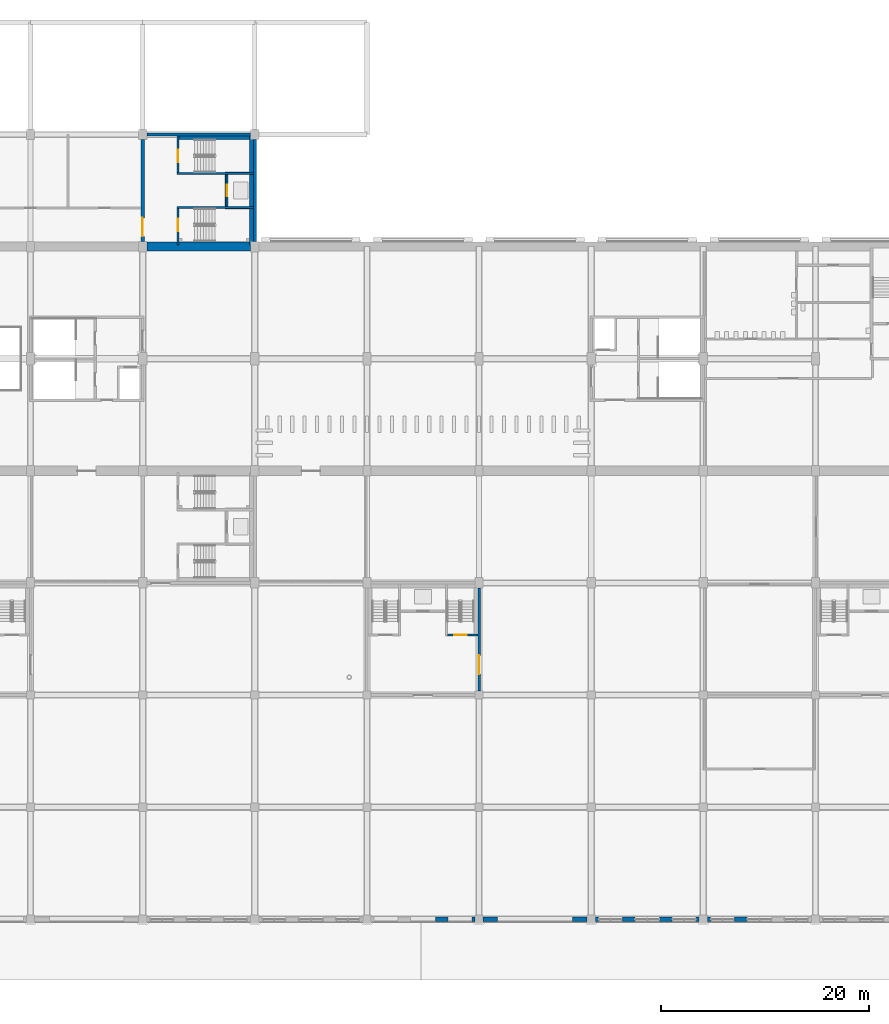
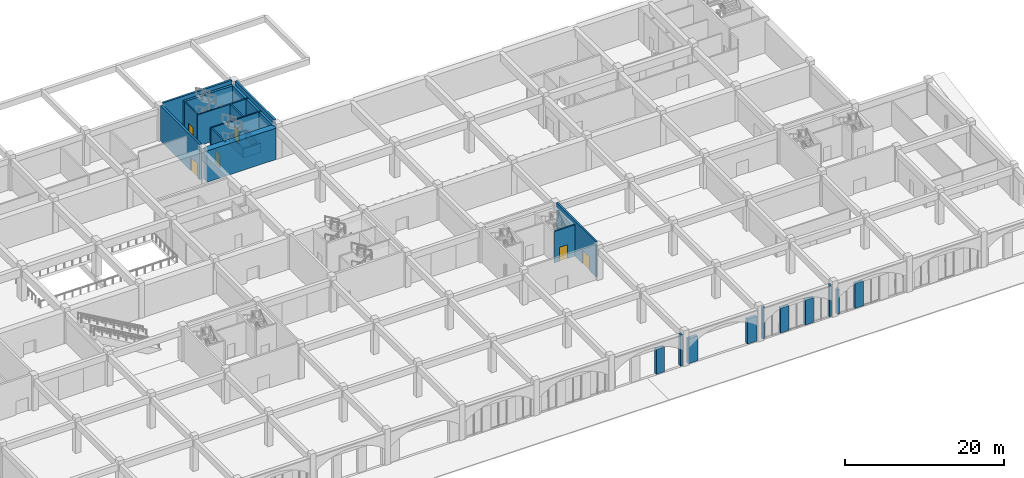
# One storey, part 32 of 101: 26 walls, 6 doors, 6 openings.
"""IFC4 building model written with IfcOpenShell, lengths in metres."""

from ifc_helpers import new_model, si_unit, direction, frame, frame_2d, origin, place, context, subcontext, project, spatial, polyline, rectangle, outline, extrude, material, layer, layer_set, type_object, element, fill, save


model = new_model("IFC4")

# Units and contexts
model_context = context("Model", 3, precision=1e-05, world=origin(), true_north=direction((0.0, 1.0)))
body_context = subcontext(model_context, "Body", "Model", "MODEL_VIEW")
ifc_project = project(units=[si_unit("LENGTHUNIT", "METRE"), si_unit("AREAUNIT", "SQUARE_METRE"), si_unit("VOLUMEUNIT", "CUBIC_METRE"), si_unit("PLANEANGLEUNIT", "RADIAN"), si_unit("MASSUNIT", "GRAM", prefix="KILO")], contexts=[model_context])

# Site, building, storey
site_placement = place(None, origin())
site = spatial("IfcSite", under=ifc_project, at=site_placement, CompositionType="ELEMENT")
building_placement = place(site_placement, origin())
building = spatial("IfcBuilding", under=site, at=building_placement, Name="Magnolia Steps Interchange", CompositionType="ELEMENT")
storey_placement = place(building_placement, frame((0.0, 0.0, -5.39990234375)))
storey = spatial("IfcBuildingStorey", under=building, at=storey_placement, Name="B1", CompositionType="ELEMENT", Elevation=-5.39990234375)

# Walls
ifc_material_1 = material(Name="Concrete C40", Category="concrete")
ifc_layer_1 = layer(ifc_material_1, 0.449951171875)
ifc_layer_set_1 = layer_set([ifc_layer_1], Name="Concrete C40 arcade wall 450")
wall_type_1 = type_object("IfcWallType", Name="Concrete C40 arcade wall 450", PredefinedType="SOLIDWALL", material=ifc_layer_set_1)
wall_1_placement = place(storey_placement, frame((135.39990234375, 10.0, 0.0), z_axis=(0.0, 0.0, 1.0), x_axis=(1.0, 0.0, 0.0)))
element("IfcWall", 1, at=wall_1_placement, inside=storey, type_object=wall_type_1, Name="Street arcade pier 45", PredefinedType="SOLIDWALL", context=body_context, shape_type="SweptSolid", body=[
    extrude(rectangle(XDim=1.2001953125, YDim=0.449951171875, at=frame_2d((0.60009765625, 0.0))), origin(), (0.0, 0.0, 1.0), 3.7998046875),
])
wall_2_placement = place(storey_placement, frame((138.89990234375, 10.0, 0.0), z_axis=(0.0, 0.0, 1.0), x_axis=(1.0, 0.0, 0.0)))
element("IfcWall", 2, at=wall_2_placement, inside=storey, type_object=wall_type_1, Name="Street arcade pier 47", PredefinedType="SOLIDWALL", context=body_context, shape_type="SweptSolid", body=[
    extrude(rectangle(XDim=0.300048828125, YDim=0.449951171875, at=frame_2d((0.14990234375, 0.0))), origin(), (0.0, 0.0, 1.0), 4.7998046875),
])
for number, where, z_axis, x_axis, name in (
    (3, (140.0, 10.0, 0.0), (0.0, 0.0, 1.0), (1.0, 0.0, 0.0), "Street arcade pier 47"),
    (4, (148.60009765625, 10.0, 0.0), (0.0, 0.0, 1.0), (1.0, 0.0, 0.0), "Street arcade pier 49"),
):
    element("IfcWall", number, at=place(storey_placement, frame(where, z_axis=z_axis, x_axis=x_axis)), inside=storey, type_object=wall_type_1, Name=name, PredefinedType="SOLIDWALL", context=body_context, shape_type="SweptSolid", body=[
        extrude(rectangle(XDim=1.39990234375, YDim=0.449951171875, at=frame_2d((0.699951171875, 0.0))), origin(), (0.0, 0.0, 1.0), 3.7998046875),
    ])
wall_3_placement = place(storey_placement, frame((150.800048828125, 10.0, 0.0), z_axis=(0.0, 0.0, 1.0), x_axis=(1.0, 0.0, 0.0)))
element("IfcWall", 5, at=wall_3_placement, inside=storey, type_object=wall_type_1, Name="Street arcade pier 49", PredefinedType="SOLIDWALL", context=body_context, shape_type="SweptSolid", body=[
    extrude(rectangle(XDim=0.300048828125, YDim=0.449951171875, at=frame_2d((0.14990234375, 0.0))), origin(), (0.0, 0.0, 1.0), 4.7998046875),
])
wall_4_placement = place(storey_placement, frame((153.39990234375, 10.0, 0.0), z_axis=(0.0, 0.0, 1.0), x_axis=(1.0, 0.0, 0.0)))
element("IfcWall", 6, at=wall_4_placement, inside=storey, type_object=wall_type_1, Name="Street arcade pier 51", PredefinedType="SOLIDWALL", context=body_context, shape_type="SweptSolid", body=[
    extrude(rectangle(XDim=1.2001953125, YDim=0.449951171875, at=frame_2d((0.60009765625, 0.0))), origin(), (0.0, 0.0, 1.0), 3.7998046875),
])
wall_5_placement = place(storey_placement, frame((157.0, 10.0, 0.0), z_axis=(0.0, 0.0, 1.0), x_axis=(1.0, 0.0, 0.0)))
element("IfcWall", 7, at=wall_5_placement, inside=storey, type_object=wall_type_1, Name="Street arcade pier 53", PredefinedType="SOLIDWALL", context=body_context, shape_type="SweptSolid", body=[
    extrude(rectangle(XDim=1.199951171875, YDim=0.449951171875, at=frame_2d((0.60009765625, 0.0))), origin(), (0.0, 0.0, 1.0), 3.7998046875),
])
wall_6_placement = place(storey_placement, frame((160.5, 10.0, 0.0), z_axis=(0.0, 0.0, 1.0), x_axis=(1.0, 0.0, 0.0)))
element("IfcWall", 8, at=wall_6_placement, inside=storey, type_object=wall_type_1, Name="Street arcade pier 55", PredefinedType="SOLIDWALL", context=body_context, shape_type="SweptSolid", body=[
    extrude(rectangle(XDim=0.300048828125, YDim=0.449951171875, at=frame_2d((0.14990234375, 0.0))), origin(), (0.0, 0.0, 1.0), 4.7998046875),
])
wall_7_placement = place(storey_placement, frame((161.60009765625, 10.0, 0.0), z_axis=(0.0, 0.0, 1.0), x_axis=(1.0, 0.0, 0.0)))
element("IfcWall", 9, at=wall_7_placement, inside=storey, type_object=wall_type_1, Name="Street arcade pier 55", PredefinedType="SOLIDWALL", context=body_context, shape_type="SweptSolid", body=[
    extrude(rectangle(XDim=0.2998046875, YDim=0.449951171875, at=frame_2d((0.14990234375, 0.0))), origin(), (0.0, 0.0, 1.0), 3.7998046875),
])
wall_8_placement = place(storey_placement, frame((164.199951171875, 10.0, 0.0), z_axis=(0.0, 0.0, 1.0), x_axis=(1.0, 0.0, 0.0)))
element("IfcWall", 10, at=wall_8_placement, inside=storey, type_object=wall_type_1, Name="Street arcade pier 57", PredefinedType="SOLIDWALL", context=body_context, shape_type="SweptSolid", body=[
    extrude(rectangle(XDim=1.199951171875, YDim=0.449951171875, at=frame_2d((0.60009765625, 0.0))), origin(), (0.0, 0.0, 1.0), 3.7998046875),
])

# Wall, opening, door
ifc_material_2 = material(Name="Concrete C35", Category="concrete")
ifc_layer_2 = layer(ifc_material_2, 0.199951171875)
ifc_layer_set_2 = layer_set([ifc_layer_2], Name="Core enclosure wall 200")
wall_type_2 = type_object("IfcWallType", Name="Core enclosure wall 200", PredefinedType="SOLIDWALL", material=ifc_layer_set_2)
wall_9_placement = place(storey_placement, frame((110.60009765625, 85.449951171875, 0.0), z_axis=(0.0, 0.0, 1.0), x_axis=(0.0, -1.0, 0.0)))
wall_9 = element("IfcWall", 11, at=wall_9_placement, inside=storey, type_object=wall_type_2, Name="B1 HC2 enclosure wall", PredefinedType="SOLIDWALL", context=body_context, shape_type="SweptSolid", body=[
    extrude(rectangle(XDim=3.5, YDim=0.199951171875, at=frame_2d((1.75, 0.0))), origin(), (0.0, 0.0, 1.0), 4.7998046875),
])
opening_1_placement = place(wall_9_placement, frame((1.324951171875, 0.0, 0.0)))
opening_1 = element("IfcOpeningElement", 12, at=opening_1_placement, cuts=wall_9, Name="Opening D-HC2-B1-1", PredefinedType="OPENING", context=body_context, shape_type="SweptSolid", body=[
    extrude(rectangle(XDim=1.199951171875, YDim=2.10009765625, at=frame_2d((0.60009765625, 1.050048828125))), frame((0.0, 0.10986328125, 0.0), z_axis=(0.0, -1.0, 0.0), x_axis=(1.0, 0.0, 0.0)), (0.0, 0.0, 1.0), 0.219970703125),
])
ifc_material_3 = material(Name="Painted steel", Category="steel")
door_type_1 = type_object("IfcDoorType", Name="Stair fire door 1200x2100", OperationType="NOTDEFINED", PredefinedType="DOOR", material=ifc_material_3)
door_1_placement = place(opening_1_placement, frame((1.199951171875, 0.0, 0.0), z_axis=(0.0, 0.0, 1.0), x_axis=(-1.0, 0.0, 0.0)))
door_1 = element("IfcDoor", 13, at=door_1_placement, inside=storey, type_object=door_type_1, Name="Stair door ST3 B1", OperationType="SINGLE_SWING_LEFT", OverallHeight=2.10009765625, OverallWidth=1.199951171875, PredefinedType="DOOR", context=body_context, shape_type="SweptSolid", body=[
    extrude(rectangle(XDim=1.199951171875, YDim=2.10009765625, at=frame_2d((0.60009765625, 1.050048828125))), frame((0.0, 0.02490234375, 0.0), z_axis=(0.0, -1.0, 0.0), x_axis=(1.0, 0.0, 0.0)), (0.0, 0.0, 1.0), 0.050048828125),
])
fill(opening_1, door_1)

# Wall
wall_10_placement = place(storey_placement, frame((110.5, 81.85009765625, 0.0), z_axis=(0.0, 0.0, 1.0), x_axis=(1.0, 0.0, 0.0)))
element("IfcWall", 14, at=wall_10_placement, inside=storey, type_object=wall_type_2, Name="B1 HC2 enclosure wall", PredefinedType="SOLIDWALL", context=body_context, shape_type="SweptSolid", body=[
    extrude(rectangle(XDim=7.35009765625, YDim=0.199951171875, at=frame_2d((3.675048828125, 0.0))), origin(), (0.0, 0.0, 1.0), 4.7998046875),
])

# Wall, opening, door
wall_11_placement = place(storey_placement, frame((115.300048828125, 81.75, 0.0), z_axis=(0.0, 0.0, 1.0), x_axis=(0.0, -1.0, 0.0)))
wall_11 = element("IfcWall", 15, at=wall_11_placement, inside=storey, type_object=wall_type_2, Name="B1 HC2 enclosure wall", PredefinedType="SOLIDWALL", context=body_context, shape_type="SweptSolid", body=[
    extrude(rectangle(XDim=3.10009765625, YDim=0.199951171875, at=frame_2d((1.550048828125, 0.0))), origin(), (0.0, 0.0, 1.0), 4.7998046875),
])
opening_2_placement = place(wall_11_placement, frame((1.0, 0.0, 0.0)))
opening_2 = element("IfcOpeningElement", 16, at=opening_2_placement, cuts=wall_11, Name="Opening LD", PredefinedType="OPENING", context=body_context, shape_type="SweptSolid", body=[
    extrude(rectangle(XDim=1.10009765625, YDim=2.10009765625, at=frame_2d((0.550048828125, 1.050048828125))), frame((0.0, 0.10986328125, 0.0), z_axis=(0.0, -1.0, 0.0), x_axis=(1.0, 0.0, 0.0)), (0.0, 0.0, 1.0), 0.219970703125),
])
ifc_material_4 = material(Name="Stainless steel grade 304", Category="steel")
door_type_2 = type_object("IfcDoorType", Name="Lift landing door 1100x2100", OperationType="DOUBLE_DOOR_SLIDING", PredefinedType="DOOR", material=ifc_material_4)
door_2_placement = place(opening_2_placement, frame((1.10009765625, 0.0, 0.0), z_axis=(0.0, 0.0, 1.0), x_axis=(-1.0, 0.0, 0.0)))
door_2 = element("IfcDoor", 17, at=door_2_placement, inside=storey, type_object=door_type_2, Name="Lift landing door LF2 B1", OperationType="DOUBLE_DOOR_SLIDING", OverallHeight=2.10009765625, OverallWidth=1.10009765625, PredefinedType="DOOR", context=body_context, shape_type="SweptSolid", body=[
    extrude(rectangle(XDim=1.10009765625, YDim=2.10009765625, at=frame_2d((0.550048828125, 1.050048828125))), frame((0.0, 0.02490234375, 0.0), z_axis=(0.0, -1.0, 0.0), x_axis=(1.0, 0.0, 0.0)), (0.0, 0.0, 1.0), 0.050048828125),
])
fill(opening_2, door_2)

# Wall
wall_12_placement = place(storey_placement, frame((110.5, 78.550048828125, 0.0), z_axis=(0.0, 0.0, 1.0), x_axis=(1.0, 0.0, 0.0)))
element("IfcWall", 18, at=wall_12_placement, inside=storey, type_object=wall_type_2, Name="B1 HC2 enclosure wall", PredefinedType="SOLIDWALL", context=body_context, shape_type="SweptSolid", body=[
    extrude(rectangle(XDim=7.35009765625, YDim=0.199951171875, at=frame_2d((3.675048828125, 0.0))), origin(), (0.0, 0.0, 1.0), 4.7998046875),
])

# Wall, opening, door
wall_13_placement = place(storey_placement, frame((110.60009765625, 78.449951171875, 0.0), z_axis=(0.0, 0.0, 1.0), x_axis=(0.0, -1.0, 0.0)))
wall_13 = element("IfcWall", 19, at=wall_13_placement, inside=storey, type_object=wall_type_2, Name="B1 HC2 enclosure wall", PredefinedType="SOLIDWALL", context=body_context, shape_type="SweptSolid", body=[
    extrude(rectangle(XDim=3.5, YDim=0.199951171875, at=frame_2d((1.75, 0.0))), origin(), (0.0, 0.0, 1.0), 4.7998046875),
])
opening_3_placement = place(wall_13_placement, frame((0.97509765625, 0.0, 0.0)))
opening_3 = element("IfcOpeningElement", 20, at=opening_3_placement, cuts=wall_13, Name="Opening D-HC2-B1-2", PredefinedType="OPENING", context=body_context, shape_type="SweptSolid", body=[
    extrude(rectangle(XDim=1.199951171875, YDim=2.10009765625, at=frame_2d((0.60009765625, 1.050048828125))), frame((0.0, 0.10986328125, 0.0), z_axis=(0.0, -1.0, 0.0), x_axis=(1.0, 0.0, 0.0)), (0.0, 0.0, 1.0), 0.219970703125),
])
door_3_placement = place(opening_3_placement, frame((1.199951171875, 0.0, 0.0), z_axis=(0.0, 0.0, 1.0), x_axis=(-1.0, 0.0, 0.0)))
door_3 = element("IfcDoor", 21, at=door_3_placement, inside=storey, type_object=door_type_1, Name="Stair door ST4 B1", OperationType="SINGLE_SWING_RIGHT", OverallHeight=2.10009765625, OverallWidth=1.199951171875, PredefinedType="DOOR", context=body_context, shape_type="SweptSolid", body=[
    extrude(rectangle(XDim=1.199951171875, YDim=2.10009765625, at=frame_2d((0.60009765625, 1.050048828125))), frame((0.0, 0.02490234375, 0.0), z_axis=(0.0, -1.0, 0.0), x_axis=(1.0, 0.0, 0.0)), (0.0, 0.0, 1.0), 0.050048828125),
])
fill(opening_3, door_3)

wall_14_placement = place(storey_placement, frame((136.550048828125, 37.39990234375, 0.0), z_axis=(0.0, 0.0, 1.0), x_axis=(1.0, 0.0, 0.0)))
wall_14 = element("IfcWall", 22, at=wall_14_placement, inside=storey, type_object=wall_type_2, Name="B1 BC3 enclosure wall", PredefinedType="SOLIDWALL", context=body_context, shape_type="SweptSolid", body=[
    extrude(rectangle(XDim=2.925048828125, YDim=0.199951171875, at=frame_2d((1.46240234375, 0.0))), origin(), (0.0, 0.0, 1.0), 4.7998046875),
])
opening_4_placement = place(wall_14_placement, frame((0.675048828125, 0.0, 0.0)))
opening_4 = element("IfcOpeningElement", 23, at=opening_4_placement, cuts=wall_14, Name="Opening D-BC3-B1-2", PredefinedType="OPENING", context=body_context, shape_type="SweptSolid", body=[
    extrude(rectangle(XDim=1.199951171875, YDim=2.10009765625, at=frame_2d((0.60009765625, 1.050048828125))), frame((0.0, 0.10986328125, 0.0), z_axis=(0.0, -1.0, 0.0), x_axis=(1.0, 0.0, 0.0)), (0.0, 0.0, 1.0), 0.219970703125),
])
door_4_placement = place(opening_4_placement, frame((1.199951171875, 0.0, 0.0), z_axis=(0.0, 0.0, 1.0), x_axis=(-1.0, 0.0, 0.0)))
door_4 = element("IfcDoor", 24, at=door_4_placement, inside=storey, type_object=door_type_1, Name="Stair door ST22 B1", OperationType="SINGLE_SWING_RIGHT", OverallHeight=2.10009765625, OverallWidth=1.199951171875, PredefinedType="DOOR", context=body_context, shape_type="SweptSolid", body=[
    extrude(rectangle(XDim=1.199951171875, YDim=2.10009765625, at=frame_2d((0.60009765625, 1.050048828125))), frame((0.0, 0.02490234375, 0.0), z_axis=(0.0, -1.0, 0.0), x_axis=(1.0, 0.0, 0.0)), (0.0, 0.0, 1.0), 0.050048828125),
])
fill(opening_4, door_4)

# Walls
ifc_material_5 = material(Name="Concrete C35", Category="concrete")
ifc_layer_3 = layer(ifc_material_5, 0.35009765625)
ifc_layer_set_3 = layer_set([ifc_layer_3], Name="Core lining wall 350")
wall_type_3 = type_object("IfcWallType", Name="Core lining wall 350", PredefinedType="SOLIDWALL", material=ifc_layer_set_3)
wall_15_placement = place(storey_placement, frame((110.5, 85.27490234375, 0.0), z_axis=(0.0, 0.0, 1.0), x_axis=(1.0, 0.0, 0.0)))
element("IfcWall", 25, at=wall_15_placement, inside=storey, type_object=wall_type_3, Name="B1 HC2 stair lining wall", PredefinedType="SOLIDWALL", context=body_context, shape_type="SweptSolid", body=[
    extrude(rectangle(XDim=7.35009765625, YDim=0.35009765625, at=frame_2d((3.675048828125, 0.0))), origin(), (0.0, 0.0, 1.0), 4.7998046875),
])
for number, where, z_axis, x_axis, name in (
    (26, (117.675048828125, 85.449951171875, 0.0), (0.0, 0.0, 1.0), (0.0, -1.0, 0.0), "B1 HC2 stair lining wall"),
    (27, (117.675048828125, 78.449951171875, 0.0), (0.0, 0.0, 1.0), (0.0, -1.0, 0.0), "B1 HC2 stair lining wall"),
):
    element("IfcWall", number, at=place(storey_placement, frame(where, z_axis=z_axis, x_axis=x_axis)), inside=storey, type_object=wall_type_3, Name=name, PredefinedType="SOLIDWALL", context=body_context, shape_type="SweptSolid", body=[
        extrude(rectangle(XDim=3.5, YDim=0.35009765625, at=frame_2d((1.75, 0.0))), origin(), (0.0, 0.0, 1.0), 4.7998046875),
    ])
wall_16_placement = place(storey_placement, frame((117.675048828125, 81.75, 0.0), z_axis=(0.0, 0.0, 1.0), x_axis=(0.0, -1.0, 0.0)))
element("IfcWall", 28, at=wall_16_placement, inside=storey, type_object=wall_type_3, Name="B1 HC2 stair lining wall", PredefinedType="SOLIDWALL", context=body_context, shape_type="SweptSolid", body=[
    extrude(rectangle(XDim=3.10009765625, YDim=0.35009765625, at=frame_2d((1.550048828125, 0.0))), origin(), (0.0, 0.0, 1.0), 4.7998046875),
])

# Wall, opening, door
ifc_material_6 = material(Name="Concrete C40", Category="concrete")
ifc_layer_4 = layer(ifc_material_6, 0.25)
ifc_layer_set_4 = layer_set([ifc_layer_4], Name="Core wall 250")
wall_type_4 = type_object("IfcWallType", Name="Core wall 250", PredefinedType="SOLIDWALL", material=ifc_layer_set_4)
wall_17_placement = place(storey_placement, frame((139.60009765625, 32.0, 0.0), z_axis=(0.0, 0.0, 1.0), x_axis=(0.0, 1.0, 0.0)))
wall_17 = element("IfcWall", 29, at=wall_17_placement, inside=storey, type_object=wall_type_4, Name="Core wall BC3", PredefinedType="SOLIDWALL", context=body_context, shape_type="SweptSolid", body=[
    extrude(rectangle(XDim=9.89990234375, YDim=0.25, at=frame_2d((4.949951171875, 0.0))), origin(), (0.0, 0.0, 1.0), 5.39990234375),
])
opening_5_placement = place(wall_17_placement, frame((1.613037109375, 0.0, 0.0)))
opening_5 = element("IfcOpeningElement", 30, at=opening_5_placement, cuts=wall_17, Name="Opening D-BC3-B1-4", PredefinedType="OPENING", context=body_context, shape_type="SweptSolid", body=[
    extrude(rectangle(XDim=1.800048828125, YDim=2.10009765625, at=frame_2d((0.89990234375, 1.050048828125))), frame((0.0, 0.135009765625, 0.0), z_axis=(0.0, -1.0, 0.0), x_axis=(1.0, 0.0, 0.0)), (0.0, 0.0, 1.0), 0.27001953125),
])
ifc_material_7 = material(Name="Timber and glass", Category="wood")
door_type_3 = type_object("IfcDoorType", Name="Core entrance door pair 1800x2100", OperationType="DOUBLE_DOOR_DOUBLE_SWING", PredefinedType="DOOR", material=ifc_material_7)
door_5_placement = place(opening_5_placement, frame((1.800048828125, 0.0, 0.0), z_axis=(0.0, 0.0, 1.0), x_axis=(-1.0, 0.0, 0.0)))
door_5 = element("IfcDoor", 31, at=door_5_placement, inside=storey, type_object=door_type_3, Name="Core entrance door BC3 B1", OperationType="DOUBLE_DOOR_DOUBLE_SWING", OverallHeight=2.10009765625, OverallWidth=1.800048828125, PredefinedType="DOOR", context=body_context, shape_type="SweptSolid", body=[
    extrude(rectangle(XDim=1.800048828125, YDim=2.10009765625, at=frame_2d((0.89990234375, 1.050048828125))), frame((0.0, 0.02490234375, 0.0), z_axis=(0.0, -1.0, 0.0), x_axis=(1.0, 0.0, 0.0)), (0.0, 0.0, 1.0), 0.050048828125),
])
fill(opening_5, door_5)

# Walls
ifc_material_8 = material(Name="Concrete C40", Category="concrete")
ifc_layer_5 = layer(ifc_material_8, 0.300048828125)
ifc_layer_set_5 = layer_set([ifc_layer_5], Name="Core wall 300")
wall_type_5 = type_object("IfcWallType", Name="Core wall 300", PredefinedType="SOLIDWALL", material=ifc_layer_set_5)
wall_18_placement = place(storey_placement, frame((118.0, 75.300048828125, 0.0), z_axis=(0.0, 0.0, 1.0), x_axis=(0.0, 1.0, 0.0)))
element("IfcWall", 32, at=wall_18_placement, inside=storey, type_object=wall_type_5, Name="Core wall HC2", PredefinedType="SOLIDWALL", context=body_context, shape_type="SweptSolid", body=[
    extrude(rectangle(XDim=9.800048828125, YDim=0.300048828125, at=frame_2d((4.89990234375, 0.0))), origin(), (0.0, 0.0, 1.0), 5.39990234375),
])
wall_19_placement = place(storey_placement, frame((117.60009765625, 85.60009765625, 0.0), z_axis=(0.0, 0.0, 1.0), x_axis=(-1.0, 0.0, 0.0)))
element("IfcWall", 33, at=wall_19_placement, inside=storey, type_object=wall_type_5, Name="Core wall HC2", PredefinedType="SOLIDWALL", context=body_context, shape_type="SweptSolid", body=[
    extrude(rectangle(XDim=10.0, YDim=0.300048828125, at=frame_2d((5.0, 0.0))), origin(), (0.0, 0.0, 1.0), 5.39990234375),
])

# Wall, opening, door
wall_20_placement = place(storey_placement, frame((107.199951171875, 85.10009765625, 0.0), z_axis=(0.0, 0.0, 1.0), x_axis=(0.0, -1.0, 0.0)))
wall_20 = element("IfcWall", 34, at=wall_20_placement, inside=storey, type_object=wall_type_5, Name="Core wall HC2", PredefinedType="SOLIDWALL", context=body_context, shape_type="SweptSolid", body=[
    extrude(rectangle(XDim=9.800048828125, YDim=0.300048828125, at=frame_2d((4.89990234375, 0.0))), origin(), (0.0, 0.0, 1.0), 5.39990234375),
])
opening_6_placement = place(wall_20_placement, frame((7.52490234375, 0.0, 0.0)))
opening_6 = element("IfcOpeningElement", 35, at=opening_6_placement, cuts=wall_20, Name="Opening D-HC2-B1-3", PredefinedType="OPENING", context=body_context, shape_type="SweptSolid", body=[
    extrude(rectangle(XDim=1.800048828125, YDim=2.10009765625, at=frame_2d((0.89990234375, 1.050048828125))), frame((0.0, 0.159912109375, 0.0), z_axis=(0.0, -1.0, 0.0), x_axis=(1.0, 0.0, 0.0)), (0.0, 0.0, 1.0), 0.320068359375),
])
door_6_placement = place(opening_6_placement, frame((1.800048828125, 0.0, 0.0), z_axis=(0.0, 0.0, 1.0), x_axis=(-1.0, 0.0, 0.0)))
door_6 = element("IfcDoor", 36, at=door_6_placement, inside=storey, type_object=door_type_3, Name="Core entrance door HC2 B1", OperationType="DOUBLE_DOOR_DOUBLE_SWING", OverallHeight=2.10009765625, OverallWidth=1.800048828125, PredefinedType="DOOR", context=body_context, shape_type="SweptSolid", body=[
    extrude(rectangle(XDim=1.800048828125, YDim=2.10009765625, at=frame_2d((0.89990234375, 1.050048828125))), frame((0.0, 0.02490234375, 0.0), z_axis=(0.0, -1.0, 0.0), x_axis=(1.0, 0.0, 0.0)), (0.0, 0.0, 1.0), 0.050048828125),
])
fill(opening_6, door_6)

# Walls
ifc_material_9 = material(Name="Concrete C40", Category="concrete")
ifc_layer_6 = layer(ifc_material_9, 0.89990234375)
ifc_layer_set_6 = layer_set([ifc_layer_6], Name="Diaphragm wall 900")
wall_type_6 = type_object("IfcWallType", Name="Diaphragm wall 900", PredefinedType="SOLIDWALL", material=ifc_layer_set_6)
wall_21_placement = place(storey_placement, frame((117.60009765625, 74.800048828125, 0.0), z_axis=(0.0, 0.0, 1.0), x_axis=(-1.0, 0.0, 0.0)))
element("IfcWall", 37, at=wall_21_placement, inside=storey, type_object=wall_type_6, Name="Metro box wall N", PredefinedType="SOLIDWALL", context=body_context, shape_type="SweptSolid", body=[
    extrude(rectangle(XDim=10.0, YDim=0.89990234375, at=frame_2d((5.0, 0.0))), origin(), (0.0, 0.0, 1.0), 4.7998046875),
])
ifc_material_10 = material(Name="Concrete C40", Category="concrete")
ifc_layer_7 = layer(ifc_material_10, 0.25)
ifc_layer_set_7 = layer_set([ifc_layer_7], Name="Lift pit wall 250")
wall_type_7 = type_object("IfcWallType", Name="Lift pit wall 250", PredefinedType="SOLIDWALL", material=ifc_layer_set_7)
wall_22_placement = place(storey_placement, frame((0.0, 0.0, -1.400146484375)))
element("IfcWall", 38, at=wall_22_placement, inside=storey, type_object=wall_type_7, Name="Lift pit wall HC2", PredefinedType="SOLIDWALL", context=body_context, shape_type="SweptSolid", body=[
    extrude(outline(polyline([(115.14990234375, 82.0), (115.14990234375, 78.39990234375), (117.75, 78.39990234375), (117.75, 82.0), (115.14990234375, 82.0)]), holes=[polyline([(115.39990234375, 78.64990234375), (117.5, 78.64990234375), (117.5, 81.75), (115.39990234375, 81.75), (115.39990234375, 78.64990234375)])]), origin(), (0.0, 0.0, 1.0), 1.400146484375),
])

save(model, "model.ifc")
